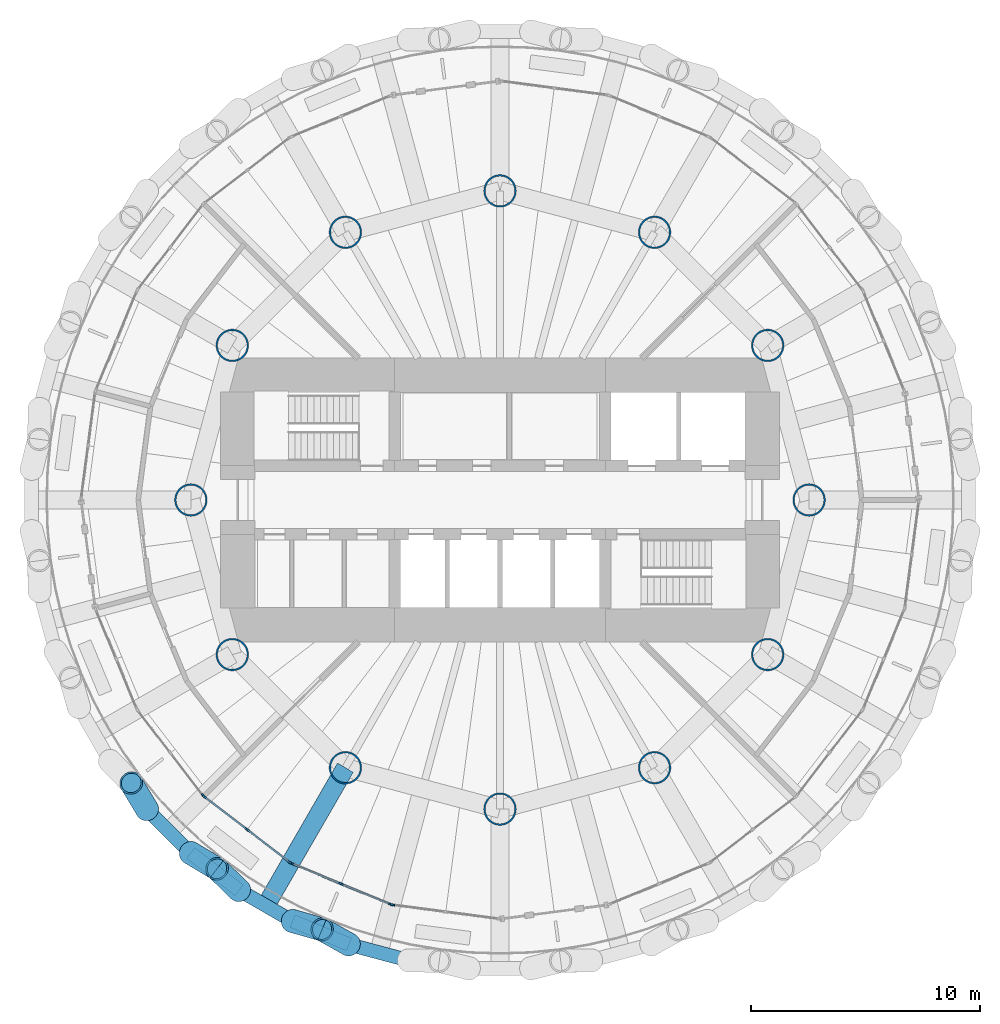
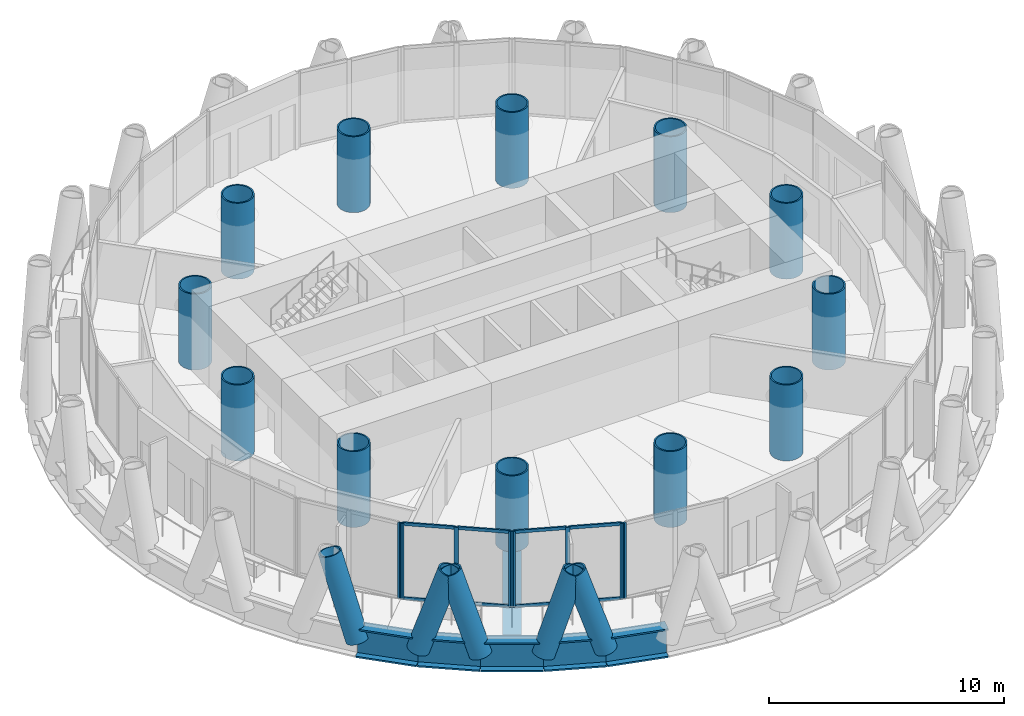
# One storey, part 1 of 13: 21 members, 12 columns, 6 beams, 4 elements without a shape of their own.
"""IFC4 building model written with IfcOpenShell, lengths in metres."""

from ifc_helpers import new_model, si_unit, direction, frame, origin, origin_2d, place, context, subcontext, project, spatial, rectangle, hollow_circle, i_section, extrude, material, material_profile, profile_set, type_object, element, aggregate, save


model = new_model("IFC4")

# Units and contexts
model_context = context("Model", 3, precision=1e-05, world=origin(), true_north=direction((0.0, 1.0)))
body_context = subcontext(model_context, "Body", "Model", "MODEL_VIEW")
ifc_project = project(units=[si_unit("LENGTHUNIT", "METRE"), si_unit("AREAUNIT", "SQUARE_METRE"), si_unit("VOLUMEUNIT", "CUBIC_METRE"), si_unit("PLANEANGLEUNIT", "RADIAN"), si_unit("MASSUNIT", "GRAM", prefix="KILO")], contexts=[model_context])

# Site, building, storey
site_placement = place(None, origin())
site = spatial("IfcSite", under=ifc_project, at=site_placement, CompositionType="ELEMENT")
building_placement = place(site_placement, origin())
building = spatial("IfcBuilding", under=site, at=building_placement, Name="Qaws Media Tower", CompositionType="ELEMENT")
storey_placement = place(building_placement, frame((0.0, 0.0, 282.199951171875)))
storey = spatial("IfcBuildingStorey", under=building, at=storey_placement, Name="L65", CompositionType="ELEMENT", Elevation=282.199951171875)

# Columns
ifc_material_1 = material(Name="Steel S460", Category="steel")
ifc_material_profile_1 = material_profile(ifc_material_1, hollow_circle(Radius=0.7109375, WallThickness=0.070068359375, at=origin_2d()), Name="CHS 1422x70")
ifc_profile_set_1 = profile_set([ifc_material_profile_1], Name="Steel S460")
column_type = type_object("IfcColumnType", Name="Inner column CHS 1422x70", PredefinedType="COLUMN", material=ifc_profile_set_1)
for number, where, z_axis, x_axis, name in (
    (1, (73.5, 50.0, 0.0), (0.0, 0.0, 1.0), (1.0, 0.0, 0.0), "C5 inner column I01 L65"),
    (2, (71.69140625, 56.75, 0.0), (0.0, 0.0, 1.0), (1.0, 0.0, 0.0), "C5 inner column I02 L65"),
    (3, (66.75, 61.69140625, 0.0), (0.0, 0.0, 1.0), (1.0, 0.0, 0.0), "C5 inner column I03 L65"),
    (4, (60.0, 63.5, 0.0), (0.0, 0.0, 1.0), (1.0, 0.0, 0.0), "C5 inner column I04 L65"),
    (5, (53.25, 61.69140625, 0.0), (0.0, 0.0, 1.0), (1.0, 0.0, 0.0), "C5 inner column I05 L65"),
    (6, (48.30859375, 56.75, 0.0), (0.0, 0.0, 1.0), (1.0, 0.0, 0.0), "C5 inner column I06 L65"),
    (7, (46.5, 50.0, 0.0), (0.0, 0.0, 1.0), (1.0, 0.0, 0.0), "C5 inner column I07 L65"),
    (8, (48.30859375, 43.25, 0.0), (0.0, 0.0, 1.0), (1.0, 0.0, 0.0), "C5 inner column I08 L65"),
    (9, (53.25, 38.30859375, 0.0), (0.0, 0.0, 1.0), (1.0, 0.0, 0.0), "C5 inner column I09 L65"),
    (10, (60.0, 36.5, 0.0), (0.0, 0.0, 1.0), (1.0, 0.0, 0.0), "C5 inner column I10 L65"),
    (11, (66.75, 38.30859375, 0.0), (0.0, 0.0, 1.0), (1.0, 0.0, 0.0), "C5 inner column I11 L65"),
    (12, (71.69140625, 43.25, 0.0), (0.0, 0.0, 1.0), (1.0, 0.0, 0.0), "C5 inner column I12 L65"),
):
    element("IfcColumn", number, at=place(storey_placement, frame(where, z_axis=z_axis, x_axis=x_axis)), inside=storey, type_object=column_type, Name=name, PredefinedType="COLUMN", context=body_context, shape_type="SweptSolid", body=[
        extrude(hollow_circle(Radius=0.7109375, WallThickness=0.070068359375, at=origin_2d()), origin(), (0.0, 0.0, 1.0), 3.949951171875),
    ])

# Curtain wall, member
ifc_material_2 = material(Name="Aluminium and clear glass", Category="aluminium")
curtain_wall_type = type_object("IfcCurtainWallType", Name="Unitised curtain wall CW-D", PredefinedType="NOTDEFINED", material=ifc_material_2)
curtain_wall_1_placement = place(storey_placement, origin())
curtain_wall_1 = element("IfcCurtainWall", 13, at=curtain_wall_1_placement, inside=storey, type_object=curtain_wall_type, Name="CWD curtain wall L65-15", PredefinedType="NOTDEFINED")
ifc_material_3 = material(Name="Aluminium mullion", Category="aluminium")
ifc_material_profile_2 = material_profile(ifc_material_3, rectangle(XDim=0.080078125, YDim=0.199951171875, at=origin_2d()), Name="80x200")
ifc_profile_set_2 = profile_set([ifc_material_profile_2], Name="Aluminium mullion")
member_type_1 = type_object("IfcMemberType", Name="Curtain wall mullion 80x200", PredefinedType="MULLION", material=ifc_profile_set_2)
member_1_placement = place(storey_placement, frame((47.03564453125, 37.091796875, 0.0), z_axis=(0.0, 0.0, 1.0), x_axis=(0.793353311997, 0.608761465882, 0.0)))
member_1 = element("IfcMember", 14, at=member_1_placement, type_object=member_type_1, Name="CWD mullion 3", PredefinedType="MULLION", context=body_context, shape_type="SweptSolid", body=[
    extrude(rectangle(XDim=0.080078125, YDim=0.199951171875, at=origin_2d()), origin(), (0.0, 0.0, 1.0), 3.949951171875),
])
aggregate(curtain_wall_1, [member_1])

# Curtain wall, members
curtain_wall_2_placement = place(storey_placement, origin())
curtain_wall_2 = element("IfcCurtainWall", 15, at=curtain_wall_2_placement, inside=storey, type_object=curtain_wall_type, Name="CWD curtain wall L65-16", PredefinedType="NOTDEFINED")
member_2_placement = place(storey_placement, frame((47.091796875, 37.03564453125, 0.0), z_axis=(0.0, 0.0, 1.0), x_axis=(0.608761465882, 0.793353311997, 0.0)))
member_2 = element("IfcMember", 16, at=member_2_placement, type_object=member_type_1, Name="CWD mullion 1", PredefinedType="MULLION", context=body_context, shape_type="SweptSolid", body=[
    extrude(rectangle(XDim=0.080078125, YDim=0.199951171875, at=origin_2d()), origin(), (0.0, 0.0, 1.0), 3.949951171875),
])
member_3_placement = place(storey_placement, frame((48.955078125, 35.60595703125, 0.0), z_axis=(0.0, 0.0, 1.0), x_axis=(0.608761465882, 0.793353311997, 0.0)))
member_3 = element("IfcMember", 17, at=member_3_placement, type_object=member_type_1, Name="CWD mullion 2", PredefinedType="MULLION", context=body_context, shape_type="SweptSolid", body=[
    extrude(rectangle(XDim=0.080078125, YDim=0.199951171875, at=origin_2d()), origin(), (0.0, 0.0, 1.0), 3.949951171875),
])
member_4_placement = place(storey_placement, frame((50.818359375, 34.176025390625, 0.0), z_axis=(0.0, 0.0, 1.0), x_axis=(0.608761465882, 0.793353311997, 0.0)))
member_4 = element("IfcMember", 18, at=member_4_placement, type_object=member_type_1, Name="CWD mullion 3", PredefinedType="MULLION", context=body_context, shape_type="SweptSolid", body=[
    extrude(rectangle(XDim=0.080078125, YDim=0.199951171875, at=origin_2d()), origin(), (0.0, 0.0, 1.0), 3.949951171875),
])

curtain_wall_3_placement = place(storey_placement, origin())
curtain_wall_3 = element("IfcCurtainWall", 19, at=curtain_wall_3_placement, inside=storey, type_object=curtain_wall_type, Name="CWD curtain wall L65-17", PredefinedType="NOTDEFINED")
member_5_placement = place(storey_placement, frame((50.886962890625, 34.136474609375, 0.0), z_axis=(0.0, 0.0, 1.0), x_axis=(0.382683515407, 0.923879498114, 0.0)))
member_5 = element("IfcMember", 20, at=member_5_placement, type_object=member_type_1, Name="CWD mullion 1", PredefinedType="MULLION", context=body_context, shape_type="SweptSolid", body=[
    extrude(rectangle(XDim=0.080078125, YDim=0.199951171875, at=origin_2d()), origin(), (0.0, 0.0, 1.0), 3.949951171875),
])
member_6_placement = place(storey_placement, frame((53.056884765625, 33.237548828125, 0.0), z_axis=(0.0, 0.0, 1.0), x_axis=(0.382683515407, 0.923879498114, 0.0)))
member_6 = element("IfcMember", 21, at=member_6_placement, type_object=member_type_1, Name="CWD mullion 2", PredefinedType="MULLION", context=body_context, shape_type="SweptSolid", body=[
    extrude(rectangle(XDim=0.080078125, YDim=0.199951171875, at=origin_2d()), origin(), (0.0, 0.0, 1.0), 3.949951171875),
])
member_7_placement = place(storey_placement, frame((55.2265625, 32.3388671875, 0.0), z_axis=(0.0, 0.0, 1.0), x_axis=(0.382683515407, 0.923879498114, 0.0)))
member_7 = element("IfcMember", 22, at=member_7_placement, type_object=member_type_1, Name="CWD mullion 3", PredefinedType="MULLION", context=body_context, shape_type="SweptSolid", body=[
    extrude(rectangle(XDim=0.080078125, YDim=0.199951171875, at=origin_2d()), origin(), (0.0, 0.0, 1.0), 3.949951171875),
])

# Curtain wall, member
curtain_wall_4_placement = place(storey_placement, origin())
curtain_wall_4 = element("IfcCurtainWall", 23, at=curtain_wall_4_placement, inside=storey, type_object=curtain_wall_type, Name="CWD curtain wall L65-18", PredefinedType="NOTDEFINED")
member_8_placement = place(storey_placement, frame((55.30322265625, 32.318359375, 0.0), z_axis=(0.0, 0.0, 1.0), x_axis=(0.130526101391, 0.991444873332, 0.0)))
member_8 = element("IfcMember", 24, at=member_8_placement, type_object=member_type_1, Name="CWD mullion 1", PredefinedType="MULLION", context=body_context, shape_type="SweptSolid", body=[
    extrude(rectangle(XDim=0.080078125, YDim=0.199951171875, at=origin_2d()), origin(), (0.0, 0.0, 1.0), 3.949951171875),
])
aggregate(curtain_wall_4, [member_8])

# Member
ifc_material_4 = material(Name="Aluminium transom", Category="aluminium")
ifc_material_profile_3 = material_profile(ifc_material_4, rectangle(XDim=0.080078125, YDim=0.159912109375, at=origin_2d()), Name="80x160")
ifc_profile_set_3 = profile_set([ifc_material_profile_3], Name="Aluminium transom")
member_type_2 = type_object("IfcMemberType", Name="Curtain wall transom 80x160", PredefinedType="USERDEFINED", material=ifc_profile_set_3)
member_9_placement = place(storey_placement, frame((47.12353515625, 37.01123046875, 0.0400390625), z_axis=(0.793339543824, -0.608779408493, 0.0), x_axis=(0.608779408493, 0.793339543824, 0.0)))
member_9 = element("IfcMember", 25, at=member_9_placement, type_object=member_type_2, Name="CWD transom 1.1", ObjectType="TRANSOM", PredefinedType="USERDEFINED", context=body_context, shape_type="SweptSolid", body=[
    extrude(rectangle(XDim=0.080078125, YDim=0.159912109375, at=origin_2d()), origin(), (0.0, 0.0, 1.0), 2.2685546875),
])

member_10_placement = place(storey_placement, frame((47.12353515625, 37.01123046875, 3.91015625), z_axis=(0.793339543824, -0.608779408493, 0.0), x_axis=(0.608779408493, 0.793339543824, 0.0)))
member_10 = element("IfcMember", 26, at=member_10_placement, type_object=member_type_2, Name="CWD transom 1.2", ObjectType="TRANSOM", PredefinedType="USERDEFINED", context=body_context, shape_type="SweptSolid", body=[
    extrude(rectangle(XDim=0.080078125, YDim=0.159912109375, at=origin_2d()), origin(), (0.0, 0.0, 1.0), 2.2685546875),
])

member_11_placement = place(storey_placement, frame((48.98681640625, 35.58154296875, 0.0400390625), z_axis=(0.793339543824, -0.608779408493, 0.0), x_axis=(0.608779408493, 0.793339543824, 0.0)))
member_11 = element("IfcMember", 27, at=member_11_placement, type_object=member_type_2, Name="CWD transom 2.1", ObjectType="TRANSOM", PredefinedType="USERDEFINED", context=body_context, shape_type="SweptSolid", body=[
    extrude(rectangle(XDim=0.080078125, YDim=0.159912109375, at=origin_2d()), origin(), (0.0, 0.0, 1.0), 2.2685546875),
])

member_12_placement = place(storey_placement, frame((48.98681640625, 35.58154296875, 3.91015625), z_axis=(0.793339543824, -0.608779408493, 0.0), x_axis=(0.608779408493, 0.793339543824, 0.0)))
member_12 = element("IfcMember", 28, at=member_12_placement, type_object=member_type_2, Name="CWD transom 2.2", ObjectType="TRANSOM", PredefinedType="USERDEFINED", context=body_context, shape_type="SweptSolid", body=[
    extrude(rectangle(XDim=0.080078125, YDim=0.159912109375, at=origin_2d()), origin(), (0.0, 0.0, 1.0), 2.2685546875),
])

aggregate(curtain_wall_2, [member_2, member_3, member_4, member_9, member_10, member_11, member_12])

member_13_placement = place(storey_placement, frame((50.923828125, 34.12109375, 0.0400390625), z_axis=(0.923880424084, -0.382681279912, 0.0), x_axis=(0.382681279912, 0.923880424084, 0.0)))
member_13 = element("IfcMember", 29, at=member_13_placement, type_object=member_type_2, Name="CWD transom 1.1", ObjectType="TRANSOM", PredefinedType="USERDEFINED", context=body_context, shape_type="SweptSolid", body=[
    extrude(rectangle(XDim=0.080078125, YDim=0.159912109375, at=origin_2d()), origin(), (0.0, 0.0, 1.0), 2.2685546875),
])

member_14_placement = place(storey_placement, frame((50.923828125, 34.12109375, 3.91015625), z_axis=(0.923880424084, -0.382681279912, 0.0), x_axis=(0.382681279912, 0.923880424084, 0.0)))
member_14 = element("IfcMember", 30, at=member_14_placement, type_object=member_type_2, Name="CWD transom 1.2", ObjectType="TRANSOM", PredefinedType="USERDEFINED", context=body_context, shape_type="SweptSolid", body=[
    extrude(rectangle(XDim=0.080078125, YDim=0.159912109375, at=origin_2d()), origin(), (0.0, 0.0, 1.0), 2.2685546875),
])

member_15_placement = place(storey_placement, frame((53.09375, 33.222412109375, 0.0400390625), z_axis=(0.923880424084, -0.382681279912, 0.0), x_axis=(0.382681279912, 0.923880424084, 0.0)))
member_15 = element("IfcMember", 31, at=member_15_placement, type_object=member_type_2, Name="CWD transom 2.1", ObjectType="TRANSOM", PredefinedType="USERDEFINED", context=body_context, shape_type="SweptSolid", body=[
    extrude(rectangle(XDim=0.080078125, YDim=0.159912109375, at=origin_2d()), origin(), (0.0, 0.0, 1.0), 2.2685546875),
])

member_16_placement = place(storey_placement, frame((53.09375, 33.222412109375, 3.91015625), z_axis=(0.923880424084, -0.382681279912, 0.0), x_axis=(0.382681279912, 0.923880424084, 0.0)))
member_16 = element("IfcMember", 32, at=member_16_placement, type_object=member_type_2, Name="CWD transom 2.2", ObjectType="TRANSOM", PredefinedType="USERDEFINED", context=body_context, shape_type="SweptSolid", body=[
    extrude(rectangle(XDim=0.080078125, YDim=0.159912109375, at=origin_2d()), origin(), (0.0, 0.0, 1.0), 2.2685546875),
])

aggregate(curtain_wall_3, [member_5, member_6, member_7, member_13, member_14, member_15, member_16])

# Members
ifc_material_5 = material(Name="Steel S460", Category="steel")
ifc_material_profile_4 = material_profile(ifc_material_5, hollow_circle(Radius=0.508056640625, WallThickness=0.070068359375, at=origin_2d()), Name="CHS 1016x70")
ifc_profile_set_4 = profile_set([ifc_material_profile_4], Name="Steel S460")
member_type_3 = type_object("IfcMemberType", Name="Diagrid member CHS 1016x70", PredefinedType="USERDEFINED", material=ifc_profile_set_4)
for number, where, z_axis, x_axis, name in (
    (33, (46.4833984375, 34.58740234375, -0.909912109375), (0.267853188571, -0.160057236154, 0.950071760725), (0.512952193399, 0.858417175554, 0.0), "DG3 diagrid L65 A16"),
    (34, (44.58740234375, 36.4833984375, -0.909912109375), (-0.160057236154, 0.267853188571, 0.950071760725), (-0.858417175554, -0.512952193399, 0.0), "DG3 diagrid L65 B16"),
):
    element("IfcMember", number, at=place(storey_placement, frame(where, z_axis=z_axis, x_axis=x_axis)), inside=storey, type_object=member_type_3, Name=name, ObjectType="DIAGRID", PredefinedType="USERDEFINED", context=body_context, shape_type="SweptSolid", body=[
        extrude(hollow_circle(Radius=0.508056640625, WallThickness=0.070068359375, at=origin_2d()), origin(), (0.0, 0.0, 1.0), 4.325927734375),
    ])
member_17_placement = place(storey_placement, frame((50.93310546875, 31.614013671875, -0.909912109375), z_axis=(0.300138494517, -0.085221723716, 0.950081123861), x_axis=(0.273143943523, 0.961973173283, 0.0)))
element("IfcMember", 35, at=member_17_placement, inside=storey, type_object=member_type_3, Name="DG3 diagrid L65 A17", ObjectType="DIAGRID", PredefinedType="USERDEFINED", context=body_context, shape_type="SweptSolid", body=[
    extrude(hollow_circle(Radius=0.508056640625, WallThickness=0.070068359375, at=origin_2d()), origin(), (0.0, 0.0, 1.0), 4.32568359375),
])
for number, where, z_axis, x_axis, name in (
    (36, (48.61083984375, 32.954833984375, -0.909912109375), (-0.223941893707, 0.217338768313, 0.950059939178), (-0.696447987563, -0.717607274643, 0.0), "DG3 diagrid L65 B17"),
    (37, (53.410400390625, 30.587890625, -0.909912109375), (-0.272535745282, 0.151985662051, 0.950065590407), (-0.487055049731, -0.873371271872, 0.0), "DG3 diagrid L65 B18"),
):
    element("IfcMember", number, at=place(storey_placement, frame(where, z_axis=z_axis, x_axis=x_axis)), inside=storey, type_object=member_type_3, Name=name, ObjectType="DIAGRID", PredefinedType="USERDEFINED", context=body_context, shape_type="SweptSolid", body=[
        extrude(hollow_circle(Radius=0.508056640625, WallThickness=0.070068359375, at=origin_2d()), origin(), (0.0, 0.0, 1.0), 4.325927734375),
    ])

# Beams
ifc_material_6 = material(Name="Steel S460", Category="steel")
ifc_material_profile_5 = material_profile(ifc_material_6, i_section(OverallWidth=0.60009765625, OverallDepth=1.5, WebThickness=0.030029296875, FlangeThickness=0.080078125, at=origin_2d()), Name="PG 1500x600")
ifc_profile_set_5 = profile_set([ifc_material_profile_5], Name="Steel S460")
beam_type_1 = type_object("IfcBeamType", Name="Edge ring beam PG 1500x600", PredefinedType="BEAM", material=ifc_profile_set_5)
beam_1_placement = place(storey_placement, frame((44.58740234375, 36.4833984375, -0.909912109375), z_axis=(0.707106781187, -0.707106781187, 0.0), x_axis=(0.707106781187, 0.707106781187, 0.0)))
element("IfcBeam", 38, at=beam_1_placement, inside=storey, type_object=beam_type_1, Name="RB5 edge ring beam L65-30", PredefinedType="BEAM", context=body_context, shape_type="SweptSolid", body=[
    extrude(i_section(OverallWidth=0.60009765625, OverallDepth=1.5, WebThickness=0.030029296875, FlangeThickness=0.080078125, at=origin_2d()), origin(), (0.0, 0.0, 1.0), 2.681396484375),
])
for number, where, z_axis, x_axis, name in (
    (39, (46.4833984375, 34.58740234375, -0.909912109375), (0.793330799857, -0.608790803149, 0.0), (0.608790803149, 0.793330799857, 0.0), "RB5 edge ring beam L65-31"),
    (40, (48.61083984375, 32.954833984375, -0.909912109375), (0.866015774862, -0.500016677412, 0.0), (0.500016677412, 0.866015774862, 0.0), "RB5 edge ring beam L65-32"),
):
    element("IfcBeam", number, at=place(storey_placement, frame(where, z_axis=z_axis, x_axis=x_axis)), inside=storey, type_object=beam_type_1, Name=name, PredefinedType="BEAM", context=body_context, shape_type="SweptSolid", body=[
        extrude(i_section(OverallWidth=0.60009765625, OverallDepth=1.5, WebThickness=0.030029296875, FlangeThickness=0.080078125, at=origin_2d()), origin(), (0.0, 0.0, 1.0), 2.681640625),
    ])
beam_2_placement = place(storey_placement, frame((50.93310546875, 31.614013671875, -0.909912109375), z_axis=(0.923880337842, -0.38268148812, 0.0), x_axis=(0.38268148812, 0.923880337842, 0.0)))
element("IfcBeam", 41, at=beam_2_placement, inside=storey, type_object=beam_type_1, Name="RB5 edge ring beam L65-33", PredefinedType="BEAM", context=body_context, shape_type="SweptSolid", body=[
    extrude(i_section(OverallWidth=0.60009765625, OverallDepth=1.5, WebThickness=0.030029296875, FlangeThickness=0.080078125, at=origin_2d()), origin(), (0.0, 0.0, 1.0), 2.681396484375),
])
beam_3_placement = place(storey_placement, frame((53.410400390625, 30.587890625, -0.909912109375), z_axis=(0.965924481895, -0.258824062397, 0.0), x_axis=(0.258824062397, 0.965924481895, 0.0)))
element("IfcBeam", 42, at=beam_3_placement, inside=storey, type_object=beam_type_1, Name="RB5 edge ring beam L65-34", PredefinedType="BEAM", context=body_context, shape_type="SweptSolid", body=[
    extrude(i_section(OverallWidth=0.60009765625, OverallDepth=1.5, WebThickness=0.030029296875, FlangeThickness=0.080078125, at=origin_2d()), origin(), (0.0, 0.0, 1.0), 2.681640625),
])
ifc_material_7 = material(Name="Steel S460", Category="steel")
ifc_material_profile_6 = material_profile(ifc_material_7, i_section(OverallWidth=0.800048828125, OverallDepth=1.0, WebThickness=0.0400390625, FlangeThickness=0.10009765625, at=origin_2d()), Name="PG 1000x800")
ifc_profile_set_6 = profile_set([ifc_material_profile_6], Name="Steel S460")
beam_type_2 = type_object("IfcBeamType", Name="Radial girder PG 1000x800", PredefinedType="BEAM", material=ifc_profile_set_6)
beam_4_placement = place(storey_placement, frame((53.25, 38.30859375, -0.659912109375), z_axis=(-0.499996896717, -0.866027195458, 0.0), x_axis=(0.866027195458, -0.499996896717, 0.0)))
element("IfcBeam", 43, at=beam_4_placement, inside=storey, type_object=beam_type_2, Name="B1 radial beam L65 17", PredefinedType="BEAM", context=body_context, shape_type="SweptSolid", body=[
    extrude(i_section(OverallWidth=0.800048828125, OverallDepth=1.0, WebThickness=0.0400390625, FlangeThickness=0.10009765625, at=origin_2d()), origin(), (0.0, 0.0, 1.0), 6.9560546875),
])

save(model, "model.ifc")
